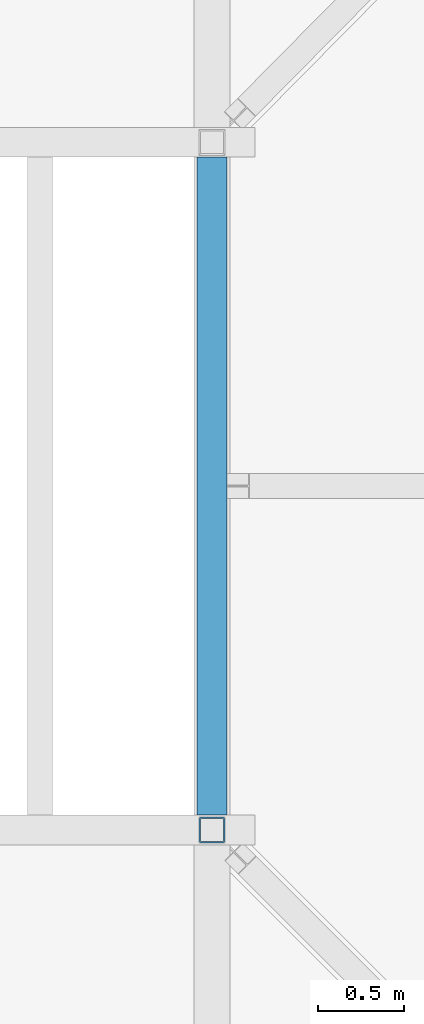
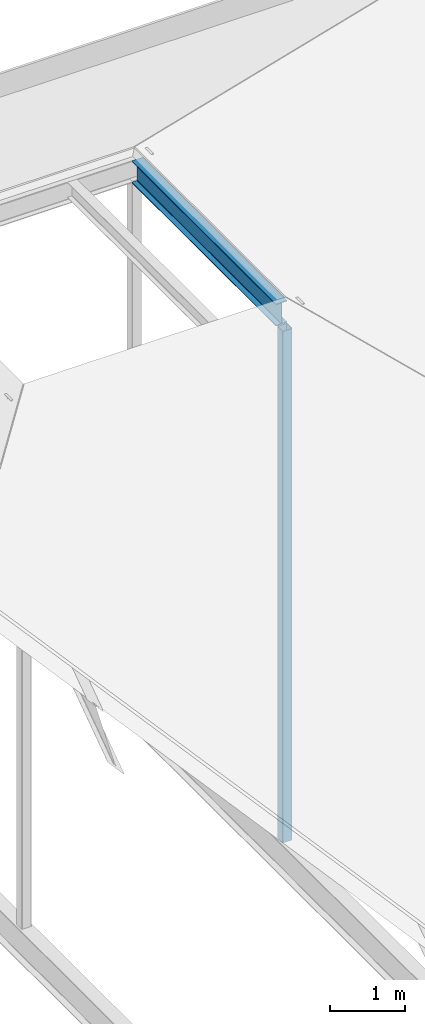
# One storey, part 19 of 118: 1 beam, 1 member.
"""IFC4 building model written with IfcOpenShell, lengths in metres."""

from ifc_helpers import new_model, si_unit, direction, frame, origin, origin_2d, place, context, subcontext, project, spatial, hollow_rectangle, i_section, extrude, material, material_profile, profile_set, type_object, element, save


model = new_model("IFC4")

# Units and contexts
model_context = context("Model", 3, precision=1e-05, world=origin(), true_north=direction((0.0, 1.0)))
body_context = subcontext(model_context, "Body", "Model", "MODEL_VIEW")
ifc_project = project(units=[si_unit("LENGTHUNIT", "METRE"), si_unit("AREAUNIT", "SQUARE_METRE"), si_unit("VOLUMEUNIT", "CUBIC_METRE"), si_unit("PLANEANGLEUNIT", "RADIAN"), si_unit("MASSUNIT", "GRAM", prefix="KILO")], contexts=[model_context])

# Site, building, storey
site_placement = place(None, origin())
site = spatial("IfcSite", under=ifc_project, at=site_placement, CompositionType="ELEMENT")
building_placement = place(site_placement, origin())
building = spatial("IfcBuilding", under=site, at=building_placement, Name="Saffron Lane Theatres", CompositionType="ELEMENT")
storey_placement = place(building_placement, frame((0.0, 0.0, 16.5)))
storey = spatial("IfcBuildingStorey", under=building, at=storey_placement, Name="L03", CompositionType="ELEMENT", Elevation=16.5)

# Beam
ifc_material_1 = material(Name="Steel Grade 350", Category="steel")
ifc_material_profile_1 = material_profile(ifc_material_1, i_section(OverallWidth=0.172119140625, OverallDepth=0.35888671875, WebThickness=0.008056640625, FlangeThickness=0.012939453125, FilletRadius=0.010986328125, at=origin_2d()))
ifc_profile_set_1 = profile_set([ifc_material_profile_1], Name="Steel Grade 350")
beam_type = type_object("IfcBeamType", Name="ST-CROWN BEAM 360UB56.7", PredefinedType="BEAM", material=ifc_profile_set_1)
beam_placement = place(storey_placement, frame((53.0, 13.0859375, 9.695556640625), z_axis=(0.0, 1.0, 0.0), x_axis=(-1.0, 0.0, 0.0)))
element("IfcBeam", 1, at=beam_placement, inside=storey, type_object=beam_type, Name="SC4", PredefinedType="BEAM", context=body_context, shape_type="SweptSolid", body=[
    extrude(i_section(OverallWidth=0.172119140625, OverallDepth=0.35888671875, WebThickness=0.008056640625, FlangeThickness=0.012939453125, FilletRadius=0.010986328125, at=origin_2d()), origin(), (0.0, 0.0, 1.0), 3.828125),
])

# Member
ifc_material_2 = material(Name="Steel Grade 350", Category="steel")
ifc_material_profile_2 = material_profile(ifc_material_2, hollow_rectangle(XDim=0.14990234375, YDim=0.14990234375, WallThickness=0.009033203125, InnerFilletRadius=0.00439453125, OuterFilletRadius=0.013427734375, at=origin_2d()))
ifc_profile_set_2 = profile_set([ifc_material_profile_2], Name="Steel Grade 350")
member_type = type_object("IfcMemberType", Name="ST-CROWN POST 150x150x9 SHS", PredefinedType="POST", material=ifc_profile_set_2)
member_placement = place(storey_placement, frame((53.0, 13.0, 1.23291015625), z_axis=(0.0, 0.0, 1.0), x_axis=(1.0, 0.0, 0.0)))
element("IfcMember", 2, at=member_placement, inside=storey, type_object=member_type, Name="SP2-13", PredefinedType="POST", context=body_context, shape_type="SweptSolid", body=[
    extrude(hollow_rectangle(XDim=0.14990234375, YDim=0.14990234375, WallThickness=0.009033203125, InnerFilletRadius=0.00439453125, OuterFilletRadius=0.013427734375, at=origin_2d()), origin(), (0.0, 0.0, 1.0), 8.2880859375),
])

save(model, "model.ifc")
